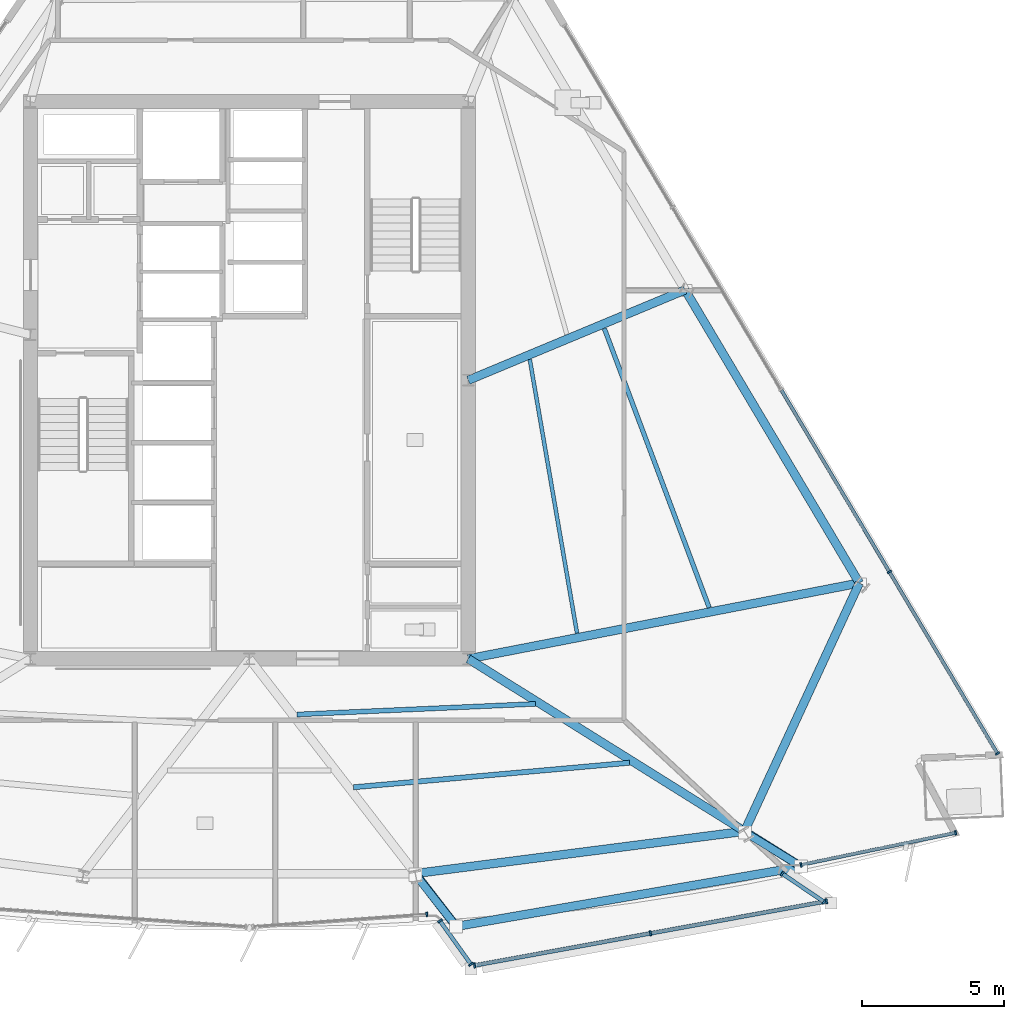
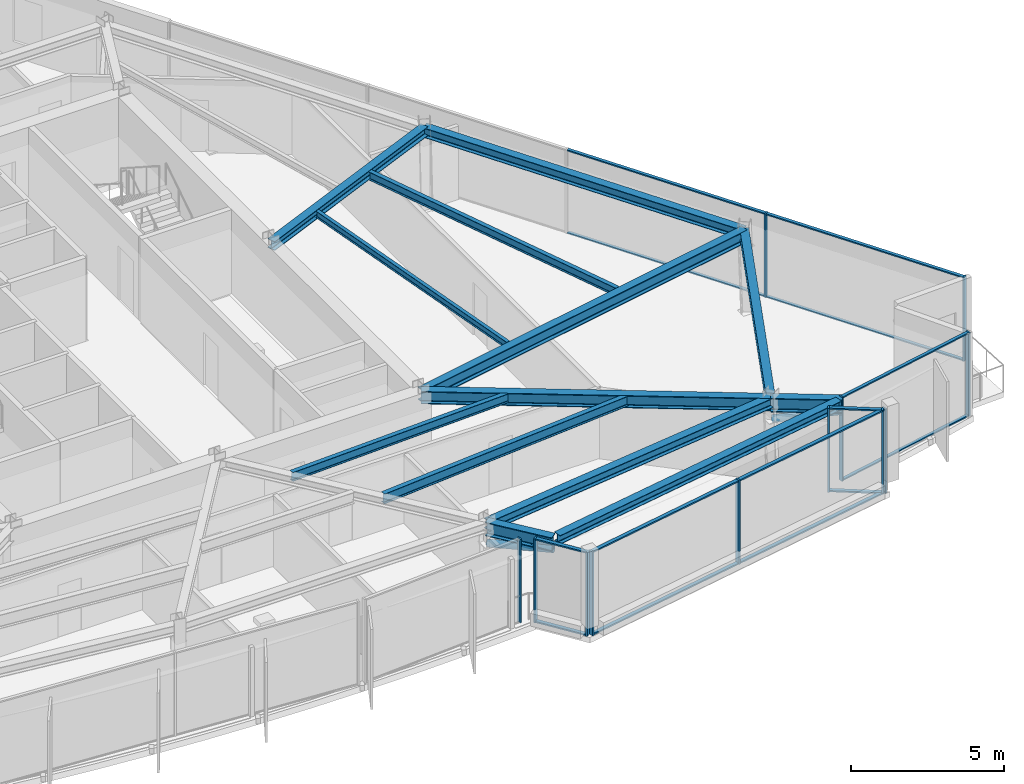
# One storey, part 4 of 12: 28 members, 13 beams, 6 elements without a shape of their own.
"""IFC4 building model written with IfcOpenShell, lengths in metres."""

from ifc_helpers import new_model, si_unit, direction, frame, origin, origin_2d, place, context, subcontext, project, spatial, rectangle, hollow_circle, i_section, extrude, material, material_profile, profile_set, type_object, element, aggregate, save


model = new_model("IFC4")

# Units and contexts
model_context = context("Model", 3, precision=1e-05, world=origin(), true_north=direction((0.0, 1.0)))
body_context = subcontext(model_context, "Body", "Model", "MODEL_VIEW")
ifc_project = project(units=[si_unit("LENGTHUNIT", "METRE"), si_unit("AREAUNIT", "SQUARE_METRE"), si_unit("VOLUMEUNIT", "CUBIC_METRE"), si_unit("PLANEANGLEUNIT", "RADIAN"), si_unit("MASSUNIT", "GRAM", prefix="KILO")], contexts=[model_context])

# Site, building, storey
site_placement = place(None, origin())
site = spatial("IfcSite", under=ifc_project, at=site_placement, CompositionType="ELEMENT")
building_placement = place(site_placement, origin())
building = spatial("IfcBuilding", under=site, at=building_placement, Name="Savorim Split Tower", CompositionType="ELEMENT")
storey_placement = place(building_placement, frame((0.0, 0.0, 171.0)))
storey = spatial("IfcBuildingStorey", under=building, at=storey_placement, Name="L45", CompositionType="ELEMENT", Elevation=171.0)

# Beams
ifc_material_1 = material(Name="Steel S355", Category="steel")
ifc_material_profile_1 = material_profile(ifc_material_1, i_section(OverallWidth=0.135009765625, OverallDepth=0.27001953125, WebThickness=0.006591796875, FlangeThickness=0.01025390625, FilletRadius=0.014892578125, at=origin_2d()), Name="IPE 270")
ifc_profile_set_1 = profile_set([ifc_material_profile_1], Name="Steel S355")
beam_type_1 = type_object("IfcBeamType", Name="BM-JST-IPE270", PredefinedType="JOIST", material=ifc_profile_set_1)
beam_1_placement = place(storey_placement, frame((11.524169921875, -8.495361328125, 3.215087890625), z_axis=(-0.170110270845, 0.985425033046, 0.0), x_axis=(-0.985425033046, -0.170110270845, 0.0)))
element("IfcBeam", 1, at=beam_1_placement, inside=storey, type_object=beam_type_1, Name="L45 Secondary Floor Joist JS-08", PredefinedType="JOIST", context=body_context, shape_type="SweptSolid", body=[
    extrude(i_section(OverallWidth=0.135009765625, OverallDepth=0.27001953125, WebThickness=0.006591796875, FlangeThickness=0.01025390625, FilletRadius=0.014892578125, at=origin_2d()), origin(), (0.0, 0.0, 1.0), 9.769287109375),
])
ifc_material_profile_2 = material_profile(ifc_material_1, i_section(OverallWidth=0.159912109375, OverallDepth=0.330078125, WebThickness=0.007568359375, FlangeThickness=0.011474609375, FilletRadius=0.01806640625, at=origin_2d()), Name="IPE 330")
ifc_profile_set_2 = profile_set([ifc_material_profile_2], Name="Steel S355")
beam_type_2 = type_object("IfcBeamType", Name="BM-JST-IPE330", PredefinedType="JOIST", material=ifc_profile_set_2)
beam_2_placement = place(storey_placement, frame((16.171630859375, -7.59619140625, 3.18505859375), z_axis=(-0.351705155406, 0.936110828728, 0.0), x_axis=(-0.936110828728, -0.351705155406, 0.0)))
element("IfcBeam", 2, at=beam_2_placement, inside=storey, type_object=beam_type_2, Name="L45 Secondary Floor Joist JS-06", PredefinedType="JOIST", context=body_context, shape_type="SweptSolid", body=[
    extrude(i_section(OverallWidth=0.159912109375, OverallDepth=0.330078125, WebThickness=0.007568359375, FlangeThickness=0.011474609375, FilletRadius=0.01806640625, at=origin_2d()), origin(), (0.0, 0.0, 1.0), 10.4853515625),
])
ifc_material_profile_3 = material_profile(ifc_material_1, i_section(OverallWidth=0.169921875, OverallDepth=0.360107421875, WebThickness=0.008056640625, FlangeThickness=0.0126953125, FilletRadius=0.01806640625, at=origin_2d()), Name="IPE 360")
ifc_profile_set_3 = profile_set([ifc_material_profile_3], Name="Steel S355")
beam_type_3 = type_object("IfcBeamType", Name="BM-JST-IPE360", PredefinedType="JOIST", material=ifc_profile_set_3)
beam_3_placement = place(storey_placement, frame((1.67724609375, -11.3564453125, 3.169921875), z_axis=(0.999016527233, 0.044339354017, 0.0), x_axis=(-0.044339354017, 0.999016527233, 0.0)))
element("IfcBeam", 3, at=beam_3_placement, inside=storey, type_object=beam_type_3, Name="L45 Secondary Floor Joist JS-05", PredefinedType="JOIST", context=body_context, shape_type="SweptSolid", body=[
    extrude(i_section(OverallWidth=0.169921875, OverallDepth=0.360107421875, WebThickness=0.008056640625, FlangeThickness=0.0126953125, FilletRadius=0.01806640625, at=origin_2d()), origin(), (0.0, 0.0, 1.0), 8.39697265625),
])
ifc_material_profile_4 = material_profile(ifc_material_1, i_section(OverallWidth=0.179931640625, OverallDepth=0.39990234375, WebThickness=0.008544921875, FlangeThickness=0.013427734375, FilletRadius=0.02099609375, at=origin_2d()), Name="IPE 400")
ifc_profile_set_4 = profile_set([ifc_material_profile_4], Name="Steel S355")
beam_type_4 = type_object("IfcBeamType", Name="BM-JST-IPE400", PredefinedType="JOIST", material=ifc_profile_set_4)
beam_4_placement = place(storey_placement, frame((3.661376953125, -13.9169921875, 3.14990234375), z_axis=(0.996067287785, 0.088599989863, 0.0), x_axis=(-0.088599989863, 0.996067287785, 0.0)))
element("IfcBeam", 4, at=beam_4_placement, inside=storey, type_object=beam_type_4, Name="L45 Secondary Floor Joist JS-04", PredefinedType="JOIST", context=body_context, shape_type="SweptSolid", body=[
    extrude(i_section(OverallWidth=0.179931640625, OverallDepth=0.39990234375, WebThickness=0.008544921875, FlangeThickness=0.013427734375, FilletRadius=0.02099609375, at=origin_2d()), origin(), (0.0, 0.0, 1.0), 9.746337890625),
])
ifc_material_profile_5 = material_profile(ifc_material_1, i_section(OverallWidth=0.300048828125, OverallDepth=0.360107421875, WebThickness=0.012451171875, FlangeThickness=0.0224609375, FilletRadius=0.027099609375, at=origin_2d()), Name="HEB 360")
ifc_profile_set_5 = profile_set([ifc_material_profile_5], Name="Steel S355")
beam_type_5 = type_object("IfcBeamType", Name="BM-PRI-HEB360", PredefinedType="BEAM", material=ifc_profile_set_5)
beam_5_placement = place(storey_placement, frame((15.3251953125, 3.575927734375, 3.169921875), z_axis=(-0.923126758512, -0.38449575774, 0.0), x_axis=(0.38449575774, -0.923126758512, 0.0)))
element("IfcBeam", 5, at=beam_5_placement, inside=storey, type_object=beam_type_5, Name="L45 Primary Floor Girder RG-06", PredefinedType="BEAM", context=body_context, shape_type="SweptSolid", body=[
    extrude(i_section(OverallWidth=0.300048828125, OverallDepth=0.360107421875, WebThickness=0.012451171875, FlangeThickness=0.0224609375, FilletRadius=0.027099609375, at=origin_2d()), origin(), (0.0, 0.0, 1.0), 8.26025390625),
])
ifc_material_profile_6 = material_profile(ifc_material_1, i_section(OverallWidth=0.300048828125, OverallDepth=0.5, WebThickness=0.014404296875, FlangeThickness=0.028076171875, FilletRadius=0.027099609375, at=origin_2d()), Name="HEB 500")
ifc_profile_set_6 = profile_set([ifc_material_profile_6], Name="Steel S355")
beam_type_6 = type_object("IfcBeamType", Name="BM-PRI-HEB500", PredefinedType="BEAM", material=ifc_profile_set_6)
beam_6_placement = place(storey_placement, frame((17.41455078125, -15.46533203125, 3.10009765625), z_axis=(-0.84824132915, 0.529609901269, 0.0), x_axis=(-0.529609901269, -0.84824132915, 0.0)))
element("IfcBeam", 6, at=beam_6_placement, inside=storey, type_object=beam_type_6, Name="L45 Primary Floor Girder RG-04", PredefinedType="BEAM", context=body_context, shape_type="SweptSolid", body=[
    extrude(i_section(OverallWidth=0.300048828125, OverallDepth=0.5, WebThickness=0.014404296875, FlangeThickness=0.028076171875, FilletRadius=0.027099609375, at=origin_2d()), origin(), (0.0, 0.0, 1.0), 11.45263671875),
])
beam_7_placement = place(storey_placement, frame((21.45458984375, -6.732421875, 3.10009765625), z_axis=(-0.981709313911, -0.190385984199, 0.0), x_axis=(0.190385984199, -0.981709313911, 0.0)))
element("IfcBeam", 7, at=beam_7_placement, inside=storey, type_object=beam_type_6, Name="L45 Primary Floor Girder RG-05", PredefinedType="BEAM", context=body_context, shape_type="SweptSolid", body=[
    extrude(i_section(OverallWidth=0.300048828125, OverallDepth=0.5, WebThickness=0.014404296875, FlangeThickness=0.028076171875, FilletRadius=0.027099609375, at=origin_2d()), origin(), (0.0, 0.0, 1.0), 14.010986328125),
])
ifc_material_profile_7 = material_profile(ifc_material_1, i_section(OverallWidth=0.300048828125, OverallDepth=0.550048828125, WebThickness=0.014892578125, FlangeThickness=0.029052734375, FilletRadius=0.027099609375, at=origin_2d()), Name="HEB 550")
ifc_profile_set_7 = profile_set([ifc_material_profile_7], Name="Steel S355")
beam_type_7 = type_object("IfcBeamType", Name="BM-PRI-HEB550", PredefinedType="BEAM", material=ifc_profile_set_7)
beam_8_placement = place(storey_placement, frame((5.83642578125, -16.951904296875, 3.074951171875), z_axis=(0.611506635661, -0.791239302956, 0.0), x_axis=(0.791239302956, 0.611506635661, 0.0)))
element("IfcBeam", 8, at=beam_8_placement, inside=storey, type_object=beam_type_7, Name="L45 Cantilevered Lounge Rib 1", PredefinedType="BEAM", context=body_context, shape_type="SweptSolid", body=[
    extrude(i_section(OverallWidth=0.300048828125, OverallDepth=0.550048828125, WebThickness=0.014892578125, FlangeThickness=0.029052734375, FilletRadius=0.027099609375, at=origin_2d()), origin(), (0.0, 0.0, 1.0), 2.349853515625),
])
beam_9_placement = place(storey_placement, frame((17.41455078125, -15.46533203125, 3.074951171875), z_axis=(0.848237507899, -0.529616021466, 0.0), x_axis=(0.529616021466, 0.848237507899, 0.0)))
element("IfcBeam", 9, at=beam_9_placement, inside=storey, type_object=beam_type_7, Name="L45 Cantilevered Lounge Rib 2", PredefinedType="BEAM", context=body_context, shape_type="SweptSolid", body=[
    extrude(i_section(OverallWidth=0.300048828125, OverallDepth=0.550048828125, WebThickness=0.014892578125, FlangeThickness=0.029052734375, FilletRadius=0.027099609375, at=origin_2d()), origin(), (0.0, 0.0, 1.0), 2.35009765625),
])
ifc_material_profile_8 = material_profile(ifc_material_1, i_section(OverallWidth=0.300048828125, OverallDepth=0.35009765625, WebThickness=0.010009765625, FlangeThickness=0.017578125, FilletRadius=0.027099609375, at=origin_2d()), Name="HEA 360")
ifc_profile_set_8 = profile_set([ifc_material_profile_8], Name="Steel S355")
beam_type_8 = type_object("IfcBeamType", Name="BM-SPN-HEA360", PredefinedType="SPANDREL", material=ifc_profile_set_8)
beam_10_placement = place(storey_placement, frame((7.43115234375, -18.783935546875, 3.175048828125), z_axis=(0.985336229333, 0.170623899744, 0.0), x_axis=(-0.170623899744, 0.985336229333, 0.0)))
element("IfcBeam", 10, at=beam_10_placement, inside=storey, type_object=beam_type_8, Name="L45 Cantilevered Lounge Front Edge Beam", PredefinedType="SPANDREL", context=body_context, shape_type="SweptSolid", body=[
    extrude(i_section(OverallWidth=0.300048828125, OverallDepth=0.35009765625, WebThickness=0.010009765625, FlangeThickness=0.017578125, FilletRadius=0.027099609375, at=origin_2d()), origin(), (0.0, 0.0, 1.0), 11.994873046875),
])
ifc_material_profile_9 = material_profile(ifc_material_1, i_section(OverallWidth=0.300048828125, OverallDepth=0.389892578125, WebThickness=0.010986328125, FlangeThickness=0.01904296875, FilletRadius=0.027099609375, at=origin_2d()), Name="HEA 400")
ifc_profile_set_9 = profile_set([ifc_material_profile_9], Name="Steel S355")
beam_type_9 = type_object("IfcBeamType", Name="BM-SPN-HEA400", PredefinedType="SPANDREL", material=ifc_profile_set_9)
beam_11_placement = place(storey_placement, frame((5.83642578125, -16.951904296875, 3.155029296875), z_axis=(0.99185790531, 0.127349502055, 0.0), x_axis=(-0.127349502055, 0.99185790531, 0.0)))
element("IfcBeam", 11, at=beam_11_placement, inside=storey, type_object=beam_type_9, Name="L45 Perimeter Spandrel Beam 3", PredefinedType="SPANDREL", context=body_context, shape_type="SweptSolid", body=[
    extrude(i_section(OverallWidth=0.300048828125, OverallDepth=0.389892578125, WebThickness=0.010986328125, FlangeThickness=0.01904296875, FilletRadius=0.027099609375, at=origin_2d()), origin(), (0.0, 0.0, 1.0), 11.673095703125),
])
beam_12_placement = place(storey_placement, frame((17.41455078125, -15.46533203125, 3.155029296875), z_axis=(0.419868949481, 0.907584742744, 0.0), x_axis=(-0.907584742744, 0.419868949481, 0.0)))
element("IfcBeam", 12, at=beam_12_placement, inside=storey, type_object=beam_type_9, Name="L45 Perimeter Spandrel Beam 4", PredefinedType="SPANDREL", context=body_context, shape_type="SweptSolid", body=[
    extrude(i_section(OverallWidth=0.300048828125, OverallDepth=0.389892578125, WebThickness=0.010986328125, FlangeThickness=0.01904296875, FilletRadius=0.027099609375, at=origin_2d()), origin(), (0.0, 0.0, 1.0), 9.6220703125),
])
beam_13_placement = place(storey_placement, frame((21.45458984375, -6.732421875, 3.155029296875), z_axis=(-0.511081896544, 0.859532020942, 0.0), x_axis=(-0.859532020942, -0.511081896544, 0.0)))
element("IfcBeam", 13, at=beam_13_placement, inside=storey, type_object=beam_type_9, Name="L45 Perimeter Spandrel Beam 5", PredefinedType="SPANDREL", context=body_context, shape_type="SweptSolid", body=[
    extrude(i_section(OverallWidth=0.300048828125, OverallDepth=0.389892578125, WebThickness=0.010986328125, FlangeThickness=0.01904296875, FilletRadius=0.027099609375, at=origin_2d()), origin(), (0.0, 0.0, 1.0), 11.992919921875),
])

# Curtain wall, member
ifc_material_2 = material(Name="Dark Ceramic-Fritted Insulated Glass", Category="glass")
curtain_wall_type_1 = type_object("IfcCurtainWallType", Name="CW-TWR-FRIT-B", PredefinedType="NOTDEFINED", material=ifc_material_2)
curtain_wall_1_placement = place(storey_placement, origin())
curtain_wall_1 = element("IfcCurtainWall", 14, at=curtain_wall_1_placement, inside=storey, type_object=curtain_wall_type_1, Name="L45 Curtain Wall CW-L45-SF3A", PredefinedType="NOTDEFINED")
ifc_material_3 = material(Name="Charcoal Anodised Aluminium", Category="aluminium")
ifc_material_profile_10 = material_profile(ifc_material_3, rectangle(XDim=0.159912109375, YDim=0.06005859375, at=origin_2d()), Name="ALU-M 160x60")
ifc_profile_set_10 = profile_set([ifc_material_profile_10], Name="Charcoal Anodised Aluminium")
member_type_1 = type_object("IfcMemberType", Name="CWM-160x60", PredefinedType="MULLION", material=ifc_profile_set_10)
member_1_placement = place(storey_placement, frame((6.239990234375, -18.384033203125, 0.0), z_axis=(0.0, 0.0, 1.0), x_axis=(-0.07156138189, 0.99743619777, 0.0)))
member_1 = element("IfcMember", 15, at=member_1_placement, type_object=member_type_1, Name="CW-03 mullion 2", PredefinedType="MULLION", context=body_context, shape_type="SweptSolid", body=[
    extrude(rectangle(XDim=0.159912109375, YDim=0.06005859375, at=origin_2d()), origin(), (0.0, 0.0, 1.0), 3.35009765625),
])
aggregate(curtain_wall_1, [member_1])

# Curtain wall, members
curtain_wall_2_placement = place(storey_placement, origin())
curtain_wall_2 = element("IfcCurtainWall", 16, at=curtain_wall_2_placement, inside=storey, type_object=curtain_wall_type_1, Name="L45 Curtain Wall CW-L45-SF4A", PredefinedType="NOTDEFINED")
member_2_placement = place(storey_placement, frame((19.401123046875, -16.645751953125, 0.0), z_axis=(0.0, 0.0, 1.0), x_axis=(-0.203220966883, 0.979132901408, 0.0)))
member_2 = element("IfcMember", 17, at=member_2_placement, type_object=member_type_1, Name="CW-03 mullion 1", PredefinedType="MULLION", context=body_context, shape_type="SweptSolid", body=[
    extrude(rectangle(XDim=0.159912109375, YDim=0.06005859375, at=origin_2d()), origin(), (0.0, 0.0, 1.0), 3.35009765625),
])
member_3_placement = place(storey_placement, frame((24.84033203125, -15.516845703125, 0.0), z_axis=(0.0, 0.0, 1.0), x_axis=(-0.203220966883, 0.979132901408, 0.0)))
member_3 = element("IfcMember", 18, at=member_3_placement, type_object=member_type_1, Name="CW-03 mullion 2", PredefinedType="MULLION", context=body_context, shape_type="SweptSolid", body=[
    extrude(rectangle(XDim=0.159912109375, YDim=0.06005859375, at=origin_2d()), origin(), (0.0, 0.0, 1.0), 3.35009765625),
])

curtain_wall_3_placement = place(storey_placement, origin())
curtain_wall_3 = element("IfcCurtainWall", 19, at=curtain_wall_3_placement, inside=storey, type_object=curtain_wall_type_1, Name="L45 Curtain Wall CW-L45-EAST", PredefinedType="NOTDEFINED")
member_4_placement = place(storey_placement, frame((26.31005859375, -12.7314453125, 0.0), z_axis=(0.0, 0.0, 1.0), x_axis=(-0.85952495128, -0.511093786039, 0.0)))
member_4 = element("IfcMember", 20, at=member_4_placement, type_object=member_type_1, Name="CW-03 mullion 1", PredefinedType="MULLION", context=body_context, shape_type="SweptSolid", body=[
    extrude(rectangle(XDim=0.159912109375, YDim=0.06005859375, at=origin_2d()), origin(), (0.0, 0.0, 1.0), 3.35009765625),
])
member_5_placement = place(storey_placement, frame((22.5107421875, -6.34228515625, 0.0), z_axis=(0.0, 0.0, 1.0), x_axis=(-0.85952495128, -0.511093786039, 0.0)))
member_5 = element("IfcMember", 21, at=member_5_placement, type_object=member_type_1, Name="CW-03 mullion 2", PredefinedType="MULLION", context=body_context, shape_type="SweptSolid", body=[
    extrude(rectangle(XDim=0.159912109375, YDim=0.06005859375, at=origin_2d()), origin(), (0.0, 0.0, 1.0), 3.35009765625),
])

curtain_wall_type_2 = type_object("IfcCurtainWallType", Name="CW-BAY-LOUNGE", PredefinedType="NOTDEFINED", material=ifc_material_2)
curtain_wall_4_placement = place(storey_placement, origin())
curtain_wall_4 = element("IfcCurtainWall", 22, at=curtain_wall_4_placement, inside=storey, type_object=curtain_wall_type_2, Name="L45 Curtain Wall CW-L45-BAYF", PredefinedType="NOTDEFINED")
ifc_material_profile_11 = material_profile(ifc_material_3, rectangle(XDim=0.179931640625, YDim=0.06494140625, at=origin_2d()), Name="ALU-M 180x65")
ifc_profile_set_11 = profile_set([ifc_material_profile_11], Name="Charcoal Anodised Aluminium")
member_type_2 = type_object("IfcMemberType", Name="CWM-180x65", PredefinedType="MULLION", material=ifc_profile_set_11)
member_6_placement = place(storey_placement, frame((7.920654296875, -20.182861328125, 0.0), z_axis=(0.0, 0.0, 1.0), x_axis=(-0.17951808442, 0.983754673364, 0.0)))
member_6 = element("IfcMember", 23, at=member_6_placement, type_object=member_type_2, Name="CW-04 mullion 1", PredefinedType="MULLION", context=body_context, shape_type="SweptSolid", body=[
    extrude(rectangle(XDim=0.179931640625, YDim=0.06494140625, at=origin_2d()), origin(), (0.0, 0.0, 1.0), 3.35009765625),
])
member_7_placement = place(storey_placement, frame((14.107666015625, -19.053955078125, 0.0), z_axis=(0.0, 0.0, 1.0), x_axis=(-0.17951808442, 0.983754673364, 0.0)))
member_7 = element("IfcMember", 24, at=member_7_placement, type_object=member_type_2, Name="CW-04 mullion 2", PredefinedType="MULLION", context=body_context, shape_type="SweptSolid", body=[
    extrude(rectangle(XDim=0.179931640625, YDim=0.06494140625, at=origin_2d()), origin(), (0.0, 0.0, 1.0), 3.35009765625),
])
member_8_placement = place(storey_placement, frame((20.294677734375, -17.925048828125, 0.0), z_axis=(0.0, 0.0, 1.0), x_axis=(-0.17951808442, 0.983754673364, 0.0)))
member_8 = element("IfcMember", 25, at=member_8_placement, type_object=member_type_2, Name="CW-04 mullion 3", PredefinedType="MULLION", context=body_context, shape_type="SweptSolid", body=[
    extrude(rectangle(XDim=0.179931640625, YDim=0.06494140625, at=origin_2d()), origin(), (0.0, 0.0, 1.0), 3.35009765625),
])

curtain_wall_5_placement = place(storey_placement, origin())
curtain_wall_5 = element("IfcCurtainWall", 26, at=curtain_wall_5_placement, inside=storey, type_object=curtain_wall_type_2, Name="L45 Curtain Wall CW-L45-BAYW", PredefinedType="NOTDEFINED")
member_9_placement = place(storey_placement, frame((6.703369140625, -18.616943359375, 0.0), z_axis=(0.0, 0.0, 1.0), x_axis=(0.813834464468, 0.581096777176, 0.0)))
member_9 = element("IfcMember", 27, at=member_9_placement, type_object=member_type_2, Name="CW-04 mullion 1", PredefinedType="MULLION", context=body_context, shape_type="SweptSolid", body=[
    extrude(rectangle(XDim=0.179931640625, YDim=0.06494140625, at=origin_2d()), origin(), (0.0, 0.0, 1.0), 3.35009765625),
])
member_10_placement = place(storey_placement, frame((7.79296875, -20.142822265625, 0.0), z_axis=(0.0, 0.0, 1.0), x_axis=(0.813834464468, 0.581096777176, 0.0)))
member_10 = element("IfcMember", 28, at=member_10_placement, type_object=member_type_2, Name="CW-04 mullion 2", PredefinedType="MULLION", context=body_context, shape_type="SweptSolid", body=[
    extrude(rectangle(XDim=0.179931640625, YDim=0.06494140625, at=origin_2d()), origin(), (0.0, 0.0, 1.0), 3.35009765625),
])

curtain_wall_6_placement = place(storey_placement, origin())
curtain_wall_6 = element("IfcCurtainWall", 29, at=curtain_wall_6_placement, inside=storey, type_object=curtain_wall_type_2, Name="L45 Curtain Wall CW-L45-BAYE", PredefinedType="NOTDEFINED")
member_11_placement = place(storey_placement, frame((20.209716796875, -17.946044921875, 0.0), z_axis=(0.0, 0.0, 1.0), x_axis=(-0.558630218743, -0.829416830494, 0.0)))
member_11 = element("IfcMember", 30, at=member_11_placement, type_object=member_type_2, Name="CW-04 mullion 1", PredefinedType="MULLION", context=body_context, shape_type="SweptSolid", body=[
    extrude(rectangle(XDim=0.179931640625, YDim=0.06494140625, at=origin_2d()), origin(), (0.0, 0.0, 1.0), 3.35009765625),
])
member_12_placement = place(storey_placement, frame((18.74169921875, -16.957275390625, 0.0), z_axis=(0.0, 0.0, 1.0), x_axis=(-0.558630218743, -0.829416830494, 0.0)))
member_12 = element("IfcMember", 31, at=member_12_placement, type_object=member_type_2, Name="CW-04 mullion 2", PredefinedType="MULLION", context=body_context, shape_type="SweptSolid", body=[
    extrude(rectangle(XDim=0.179931640625, YDim=0.06494140625, at=origin_2d()), origin(), (0.0, 0.0, 1.0), 3.35009765625),
])

# Member
ifc_material_profile_12 = material_profile(ifc_material_3, rectangle(XDim=0.1201171875, YDim=0.050048828125, at=origin_2d()), Name="ALU-T 120x50")
ifc_profile_set_12 = profile_set([ifc_material_profile_12], Name="Charcoal Anodised Aluminium")
member_type_3 = type_object("IfcMemberType", Name="CWT-120x50", PredefinedType="USERDEFINED", material=ifc_profile_set_12)
member_13_placement = place(storey_placement, frame((19.4306640625, -16.6396484375, 0.02490234375), z_axis=(0.979133170264, 0.203219671512, 0.0), x_axis=(-0.203219671512, 0.979133170264, 0.0)))
member_13 = element("IfcMember", 32, at=member_13_placement, type_object=member_type_3, Name="CW-03 transom 1.1", ObjectType="TRANSOM", PredefinedType="USERDEFINED", context=body_context, shape_type="SweptSolid", body=[
    extrude(rectangle(XDim=0.1201171875, YDim=0.050048828125, at=origin_2d()), origin(), (0.0, 0.0, 1.0), 5.4951171875),
])

member_14_placement = place(storey_placement, frame((19.4306640625, -16.6396484375, 3.324951171875), z_axis=(0.979133170264, 0.203219671512, 0.0), x_axis=(-0.203219671512, 0.979133170264, 0.0)))
member_14 = element("IfcMember", 33, at=member_14_placement, type_object=member_type_3, Name="CW-03 transom 1.2", ObjectType="TRANSOM", PredefinedType="USERDEFINED", context=body_context, shape_type="SweptSolid", body=[
    extrude(rectangle(XDim=0.1201171875, YDim=0.050048828125, at=origin_2d()), origin(), (0.0, 0.0, 1.0), 5.4951171875),
])

aggregate(curtain_wall_2, [member_2, member_3, member_13, member_14])

member_15_placement = place(storey_placement, frame((26.294677734375, -12.70556640625, 0.02490234375), z_axis=(-0.511097871575, 0.859522521911, 0.0), x_axis=(-0.859522521911, -0.511097871575, 0.0)))
member_15 = element("IfcMember", 34, at=member_15_placement, type_object=member_type_3, Name="CW-03 transom 1.1", ObjectType="TRANSOM", PredefinedType="USERDEFINED", context=body_context, shape_type="SweptSolid", body=[
    extrude(rectangle(XDim=0.1201171875, YDim=0.050048828125, at=origin_2d()), origin(), (0.0, 0.0, 1.0), 7.37353515625),
])

member_16_placement = place(storey_placement, frame((26.294677734375, -12.70556640625, 3.324951171875), z_axis=(-0.511097871575, 0.859522521911, 0.0), x_axis=(-0.859522521911, -0.511097871575, 0.0)))
member_16 = element("IfcMember", 35, at=member_16_placement, type_object=member_type_3, Name="CW-03 transom 1.2", ObjectType="TRANSOM", PredefinedType="USERDEFINED", context=body_context, shape_type="SweptSolid", body=[
    extrude(rectangle(XDim=0.1201171875, YDim=0.050048828125, at=origin_2d()), origin(), (0.0, 0.0, 1.0), 7.37353515625),
])

member_17_placement = place(storey_placement, frame((22.495361328125, -6.31640625, 0.02490234375), z_axis=(-0.511072759011, 0.859537454098, 0.0), x_axis=(-0.859537454098, -0.511072759011, 0.0)))
member_17 = element("IfcMember", 36, at=member_17_placement, type_object=member_type_3, Name="CW-03 transom 2.1", ObjectType="TRANSOM", PredefinedType="USERDEFINED", context=body_context, shape_type="SweptSolid", body=[
    extrude(rectangle(XDim=0.1201171875, YDim=0.050048828125, at=origin_2d()), origin(), (0.0, 0.0, 1.0), 7.4033203125),
])

member_18_placement = place(storey_placement, frame((22.495361328125, -6.31640625, 3.324951171875), z_axis=(-0.511072759011, 0.859537454098, 0.0), x_axis=(-0.859537454098, -0.511072759011, 0.0)))
member_18 = element("IfcMember", 37, at=member_18_placement, type_object=member_type_3, Name="CW-03 transom 2.2", ObjectType="TRANSOM", PredefinedType="USERDEFINED", context=body_context, shape_type="SweptSolid", body=[
    extrude(rectangle(XDim=0.1201171875, YDim=0.050048828125, at=origin_2d()), origin(), (0.0, 0.0, 1.0), 7.4033203125),
])

aggregate(curtain_wall_3, [member_4, member_5, member_15, member_16, member_17, member_18])

ifc_material_profile_13 = material_profile(ifc_material_3, rectangle(XDim=0.139892578125, YDim=0.054931640625, at=origin_2d()), Name="ALU-T 140x55")
ifc_profile_set_13 = profile_set([ifc_material_profile_13], Name="Charcoal Anodised Aluminium")
member_type_4 = type_object("IfcMemberType", Name="CWT-140x55", PredefinedType="USERDEFINED", material=ifc_profile_set_13)
member_19_placement = place(storey_placement, frame((7.95263671875, -20.17724609375, 0.027587890625), z_axis=(0.983752338434, 0.179530879307, 0.0), x_axis=(-0.179530879307, 0.983752338434, 0.0)))
member_19 = element("IfcMember", 38, at=member_19_placement, type_object=member_type_4, Name="CW-04 transom 1.1", ObjectType="TRANSOM", PredefinedType="USERDEFINED", context=body_context, shape_type="SweptSolid", body=[
    extrude(rectangle(XDim=0.139892578125, YDim=0.054931640625, at=origin_2d()), origin(), (0.0, 0.0, 1.0), 6.22412109375),
])

member_20_placement = place(storey_placement, frame((7.95263671875, -20.17724609375, 3.322509765625), z_axis=(0.983752338434, 0.179530879307, 0.0), x_axis=(-0.179530879307, 0.983752338434, 0.0)))
member_20 = element("IfcMember", 39, at=member_20_placement, type_object=member_type_4, Name="CW-04 transom 1.2", ObjectType="TRANSOM", PredefinedType="USERDEFINED", context=body_context, shape_type="SweptSolid", body=[
    extrude(rectangle(XDim=0.139892578125, YDim=0.054931640625, at=origin_2d()), origin(), (0.0, 0.0, 1.0), 6.22412109375),
])

member_21_placement = place(storey_placement, frame((14.1396484375, -19.048095703125, 0.027587890625), z_axis=(0.983752338434, 0.179530879307, 0.0), x_axis=(-0.179530879307, 0.983752338434, 0.0)))
member_21 = element("IfcMember", 40, at=member_21_placement, type_object=member_type_4, Name="CW-04 transom 2.1", ObjectType="TRANSOM", PredefinedType="USERDEFINED", context=body_context, shape_type="SweptSolid", body=[
    extrude(rectangle(XDim=0.139892578125, YDim=0.054931640625, at=origin_2d()), origin(), (0.0, 0.0, 1.0), 6.22412109375),
])

member_22_placement = place(storey_placement, frame((14.1396484375, -19.048095703125, 3.322509765625), z_axis=(0.983752338434, 0.179530879307, 0.0), x_axis=(-0.179530879307, 0.983752338434, 0.0)))
member_22 = element("IfcMember", 41, at=member_22_placement, type_object=member_type_4, Name="CW-04 transom 2.2", ObjectType="TRANSOM", PredefinedType="USERDEFINED", context=body_context, shape_type="SweptSolid", body=[
    extrude(rectangle(XDim=0.139892578125, YDim=0.054931640625, at=origin_2d()), origin(), (0.0, 0.0, 1.0), 6.22412109375),
])

aggregate(curtain_wall_4, [member_6, member_7, member_8, member_19, member_20, member_21, member_22])

member_23_placement = place(storey_placement, frame((6.722412109375, -18.643310546875, 0.027587890625), z_axis=(0.581123345743, -0.813815493237, 0.0), x_axis=(0.813815493237, 0.581123345743, 0.0)))
member_23 = element("IfcMember", 42, at=member_23_placement, type_object=member_type_4, Name="CW-04 transom 1.1", ObjectType="TRANSOM", PredefinedType="USERDEFINED", context=body_context, shape_type="SweptSolid", body=[
    extrude(rectangle(XDim=0.139892578125, YDim=0.054931640625, at=origin_2d()), origin(), (0.0, 0.0, 1.0), 1.809814453125),
])

member_24_placement = place(storey_placement, frame((6.722412109375, -18.643310546875, 3.322509765625), z_axis=(0.581123345743, -0.813815493237, 0.0), x_axis=(0.813815493237, 0.581123345743, 0.0)))
member_24 = element("IfcMember", 43, at=member_24_placement, type_object=member_type_4, Name="CW-04 transom 1.2", ObjectType="TRANSOM", PredefinedType="USERDEFINED", context=body_context, shape_type="SweptSolid", body=[
    extrude(rectangle(XDim=0.139892578125, YDim=0.054931640625, at=origin_2d()), origin(), (0.0, 0.0, 1.0), 1.809814453125),
])

aggregate(curtain_wall_5, [member_9, member_10, member_23, member_24])

member_25_placement = place(storey_placement, frame((20.182861328125, -17.927978515625, 0.027587890625), z_axis=(-0.829464003878, 0.558560172471, 0.0), x_axis=(-0.558560172471, -0.829464003878, 0.0)))
member_25 = element("IfcMember", 44, at=member_25_placement, type_object=member_type_4, Name="CW-04 transom 1.1", ObjectType="TRANSOM", PredefinedType="USERDEFINED", context=body_context, shape_type="SweptSolid", body=[
    extrude(rectangle(XDim=0.139892578125, YDim=0.054931640625, at=origin_2d()), origin(), (0.0, 0.0, 1.0), 1.705078125),
])

member_26_placement = place(storey_placement, frame((20.182861328125, -17.927978515625, 3.322509765625), z_axis=(-0.829464003878, 0.558560172471, 0.0), x_axis=(-0.558560172471, -0.829464003878, 0.0)))
member_26 = element("IfcMember", 45, at=member_26_placement, type_object=member_type_4, Name="CW-04 transom 1.2", ObjectType="TRANSOM", PredefinedType="USERDEFINED", context=body_context, shape_type="SweptSolid", body=[
    extrude(rectangle(XDim=0.139892578125, YDim=0.054931640625, at=origin_2d()), origin(), (0.0, 0.0, 1.0), 1.705078125),
])

aggregate(curtain_wall_6, [member_11, member_12, member_25, member_26])

# Members
ifc_material_profile_14 = material_profile(ifc_material_1, hollow_circle(Radius=0.136474609375, WallThickness=0.01611328125, at=origin_2d()), Name="CHS 273x16")
ifc_profile_set_14 = profile_set([ifc_material_profile_14], Name="Steel S355")
member_type_5 = type_object("IfcMemberType", Name="MBR-CRN-CHS273", PredefinedType="BRACE", material=ifc_profile_set_14)
member_27_placement = place(storey_placement, frame((5.844482421875, -16.9921875, 2.449951171875), z_axis=(0.609974598472, -0.776511316114, 0.157991028752), x_axis=(0.78638791782, 0.617732986579, 0.0)))
element("IfcMember", 46, at=member_27_placement, inside=storey, type_object=member_type_5, Name="L45 Cantilevered Bay Support Strut 1", PredefinedType="BRACE", context=body_context, shape_type="SweptSolid", body=[
    extrude(hollow_circle(Radius=0.136474609375, WallThickness=0.01611328125, at=origin_2d()), origin(), (0.0, 0.0, 1.0), 2.342529296875),
])
member_28_placement = place(storey_placement, frame((17.43798828125, -15.50390625, 2.449951171875), z_axis=(0.84211860518, -0.515561520584, 0.158216855305), x_axis=(0.522138170052, 0.852860909747, 0.0)))
element("IfcMember", 47, at=member_28_placement, inside=storey, type_object=member_type_5, Name="L45 Cantilevered Bay Support Strut 2", PredefinedType="BRACE", context=body_context, shape_type="SweptSolid", body=[
    extrude(hollow_circle(Radius=0.136474609375, WallThickness=0.01611328125, at=origin_2d()), origin(), (0.0, 0.0, 1.0), 2.33935546875),
])

save(model, "model.ifc")
